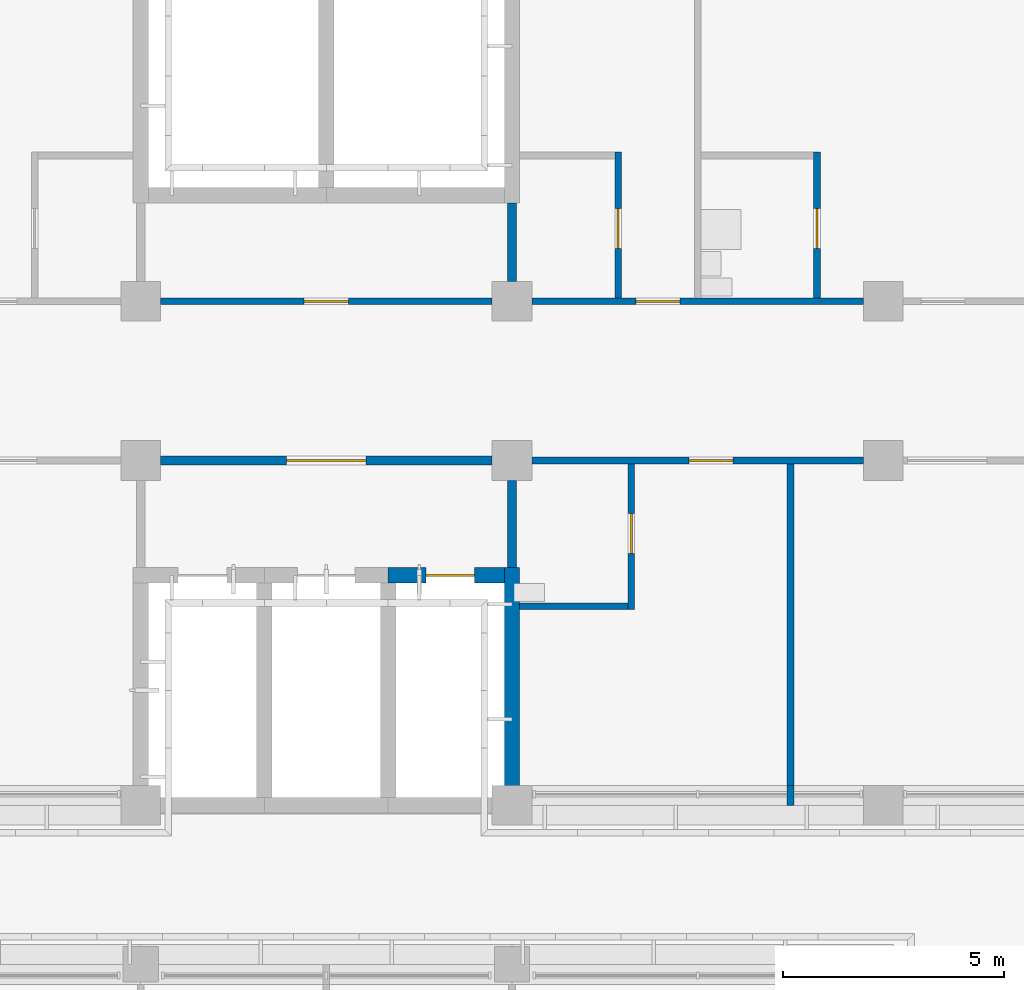
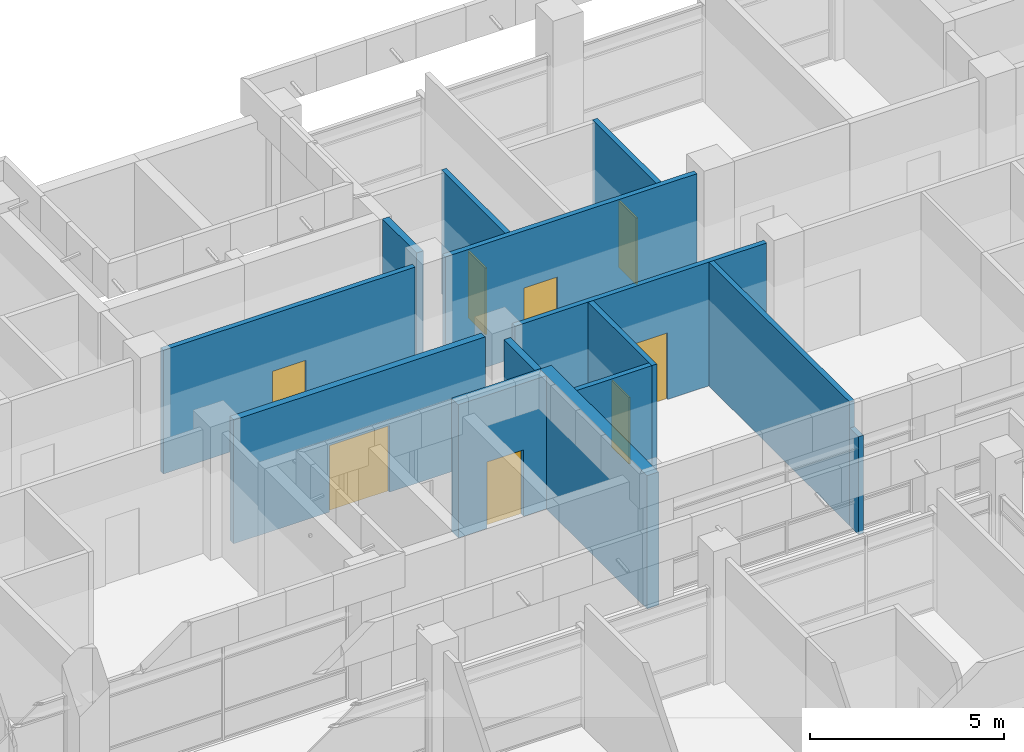
# One storey, part 84 of 137: 14 walls, 8 doors, 8 openings.
"""IFC4 building model written with IfcOpenShell, lengths in metres."""

from ifc_helpers import new_model, si_unit, direction, frame, frame_2d, origin, place, context, subcontext, project, spatial, rectangle, extrude, material, layer, layer_set, type_object, element, fill, save


model = new_model("IFC4")

# Units and contexts
model_context = context("Model", 3, precision=1e-05, world=origin(), true_north=direction((0.0, 1.0)))
body_context = subcontext(model_context, "Body", "Model", "MODEL_VIEW")
ifc_project = project(units=[si_unit("LENGTHUNIT", "METRE"), si_unit("AREAUNIT", "SQUARE_METRE"), si_unit("VOLUMEUNIT", "CUBIC_METRE"), si_unit("PLANEANGLEUNIT", "RADIAN"), si_unit("MASSUNIT", "GRAM", prefix="KILO")], contexts=[model_context])

# Site, building, storey
site_placement = place(None, origin())
site = spatial("IfcSite", under=ifc_project, at=site_placement, CompositionType="ELEMENT")
building_placement = place(site_placement, origin())
building = spatial("IfcBuilding", under=site, at=building_placement, Name="Bougainvillea Quay General Hospital", CompositionType="ELEMENT")
storey_placement = place(building_placement, frame((0.0, 0.0, 16.800048828125)))
storey = spatial("IfcBuildingStorey", under=building, at=storey_placement, Name="L03", CompositionType="ELEMENT", Elevation=16.800048828125)

# Walls
ifc_material_1 = material(Name="Gypsum board partition on steel studs, insulated", Category="steel")
ifc_layer_1 = layer(ifc_material_1, 0.14990234375)
ifc_layer_set_1 = layer_set([ifc_layer_1], Name="Gypsum board partition on steel studs, insulated")
wall_type_1 = type_object("IfcWallType", Name="Partition 150 Gypsum board partition", PredefinedType="PARTITIONING", material=ifc_layer_set_1)
wall_1_placement = place(storey_placement, frame((165.89990234375, 140.39990234375, 0.0), z_axis=(0.0, 0.0, 1.0), x_axis=(0.0, 1.0, 0.0)))
element("IfcWall", 1, at=wall_1_placement, inside=storey, type_object=wall_type_1, Name="Partition 150 mm", PredefinedType="PARTITIONING", context=body_context, shape_type="SweptSolid", body=[
    extrude(rectangle(XDim=0.4501953125, YDim=0.14990234375, at=frame_2d((0.22509765625, 0.0))), origin(), (0.0, 0.0, 1.0), 3.079833984375),
])
wall_2_placement = place(storey_placement, frame((165.89990234375, 140.85009765625, 0.0), z_axis=(0.0, 0.0, 1.0), x_axis=(0.0, 1.0, 0.0)))
element("IfcWall", 2, at=wall_2_placement, inside=storey, type_object=wall_type_1, Name="Partition 150 mm", PredefinedType="PARTITIONING", context=body_context, shape_type="SweptSolid", body=[
    extrude(rectangle(XDim=7.27490234375, YDim=0.14990234375, at=frame_2d((3.637451171875, 0.0))), origin(), (0.0, 0.0, 1.0), 3.89990234375),
])

# Wall, opening, door
wall_3_placement = place(storey_placement, frame((162.0, 151.875, 0.0), z_axis=(0.0, 0.0, 1.0), x_axis=(0.0, 1.0, 0.0)))
wall_3 = element("IfcWall", 3, at=wall_3_placement, inside=storey, type_object=wall_type_1, Name="Partition 150 mm", PredefinedType="PARTITIONING", context=body_context, shape_type="SweptSolid", body=[
    extrude(rectangle(XDim=3.300048828125, YDim=0.14990234375, at=frame_2d((1.64990234375, 0.0))), origin(), (0.0, 0.0, 1.0), 3.89990234375),
])
opening_1_placement = place(wall_3_placement, frame((1.125, 0.0, 0.0)))
opening_1 = element("IfcOpeningElement", 4, at=opening_1_placement, cuts=wall_3, Name="Opening L03.063", PredefinedType="OPENING", context=body_context, shape_type="SweptSolid", body=[
    extrude(rectangle(XDim=0.89990234375, YDim=2.10009765625, at=frame_2d((0.449951171875, 1.050048828125))), frame((0.0, 0.0849609375, 0.0), z_axis=(0.0, -1.0, 0.0), x_axis=(1.0, 0.0, 0.0)), (0.0, 0.0, 1.0), 0.169921875),
])
ifc_material_2 = material(Name="Solid-core timber door leaf in steel frame", Category="steel")
door_type_1 = type_object("IfcDoorType", Name="Single leaf door 900x2100", OperationType="NOTDEFINED", PredefinedType="DOOR", material=ifc_material_2)
door_1_placement = place(opening_1_placement, origin())
door_1 = element("IfcDoor", 5, at=door_1_placement, inside=storey, type_object=door_type_1, Name="DT07 L03.063", OperationType="SINGLE_SWING_LEFT", OverallHeight=2.10009765625, OverallWidth=0.89990234375, PredefinedType="DOOR", context=body_context, shape_type="SweptSolid", body=[
    extrude(rectangle(XDim=0.89990234375, YDim=2.10009765625, at=frame_2d((0.449951171875, 1.050048828125))), frame((0.0, 0.02490234375, 0.0), z_axis=(0.0, -1.0, 0.0), x_axis=(1.0, 0.0, 0.0)), (0.0, 0.0, 1.0), 0.050048828125),
])
fill(opening_1, door_1)

wall_4_placement = place(storey_placement, frame((162.300048828125, 144.824951171875, 0.0), z_axis=(0.0, 0.0, 1.0), x_axis=(0.0, 1.0, 0.0)))
wall_4 = element("IfcWall", 6, at=wall_4_placement, inside=storey, type_object=wall_type_1, Name="Partition 150 mm", PredefinedType="PARTITIONING", context=body_context, shape_type="SweptSolid", body=[
    extrude(rectangle(XDim=3.300048828125, YDim=0.14990234375, at=frame_2d((1.64990234375, 0.0))), origin(), (0.0, 0.0, 1.0), 3.89990234375),
])
opening_2_placement = place(wall_4_placement, frame((1.27490234375, 0.0, 0.0)))
opening_2 = element("IfcOpeningElement", 7, at=opening_2_placement, cuts=wall_4, Name="Opening L03.057", PredefinedType="OPENING", context=body_context, shape_type="SweptSolid", body=[
    extrude(rectangle(XDim=0.89990234375, YDim=2.10009765625, at=frame_2d((0.449951171875, 1.050048828125))), frame((0.0, 0.0849609375, 0.0), z_axis=(0.0, -1.0, 0.0), x_axis=(1.0, 0.0, 0.0)), (0.0, 0.0, 1.0), 0.169921875),
])
door_2_placement = place(opening_2_placement, origin())
door_2 = element("IfcDoor", 8, at=door_2_placement, inside=storey, type_object=door_type_1, Name="DT07 L03.057", OperationType="SINGLE_SWING_RIGHT", OverallHeight=2.10009765625, OverallWidth=0.89990234375, PredefinedType="DOOR", context=body_context, shape_type="SweptSolid", body=[
    extrude(rectangle(XDim=0.89990234375, YDim=2.10009765625, at=frame_2d((0.449951171875, 1.050048828125))), frame((0.0, 0.02490234375, 0.0), z_axis=(0.0, -1.0, 0.0), x_axis=(1.0, 0.0, 0.0)), (0.0, 0.0, 1.0), 0.050048828125),
])
fill(opening_2, door_2)

wall_5_placement = place(storey_placement, frame((166.5, 151.875, 0.0), z_axis=(0.0, 0.0, 1.0), x_axis=(0.0, 1.0, 0.0)))
wall_5 = element("IfcWall", 9, at=wall_5_placement, inside=storey, type_object=wall_type_1, Name="Partition 150 mm", PredefinedType="PARTITIONING", context=body_context, shape_type="SweptSolid", body=[
    extrude(rectangle(XDim=3.300048828125, YDim=0.14990234375, at=frame_2d((1.64990234375, 0.0))), origin(), (0.0, 0.0, 1.0), 3.89990234375),
])
opening_3_placement = place(wall_5_placement, frame((1.125, 0.0, 0.0)))
opening_3 = element("IfcOpeningElement", 10, at=opening_3_placement, cuts=wall_5, Name="Opening L03.065", PredefinedType="OPENING", context=body_context, shape_type="SweptSolid", body=[
    extrude(rectangle(XDim=0.89990234375, YDim=2.10009765625, at=frame_2d((0.449951171875, 1.050048828125))), frame((0.0, 0.0849609375, 0.0), z_axis=(0.0, -1.0, 0.0), x_axis=(1.0, 0.0, 0.0)), (0.0, 0.0, 1.0), 0.169921875),
])
door_3_placement = place(opening_3_placement, origin())
door_3 = element("IfcDoor", 11, at=door_3_placement, inside=storey, type_object=door_type_1, Name="DT07 L03.065", OperationType="SINGLE_SWING_LEFT", OverallHeight=2.10009765625, OverallWidth=0.89990234375, PredefinedType="DOOR", context=body_context, shape_type="SweptSolid", body=[
    extrude(rectangle(XDim=0.89990234375, YDim=2.10009765625, at=frame_2d((0.449951171875, 1.050048828125))), frame((0.0, 0.02490234375, 0.0), z_axis=(0.0, -1.0, 0.0), x_axis=(1.0, 0.0, 0.0)), (0.0, 0.0, 1.0), 0.050048828125),
])
fill(opening_3, door_3)

# Wall
wall_6_placement = place(storey_placement, frame((159.77490234375, 144.89990234375, 0.0), z_axis=(0.0, 0.0, 1.0), x_axis=(1.0, 0.0, 0.0)))
element("IfcWall", 12, at=wall_6_placement, inside=storey, type_object=wall_type_1, Name="Partition 150 mm", PredefinedType="PARTITIONING", context=body_context, shape_type="SweptSolid", body=[
    extrude(rectangle(XDim=2.4501953125, YDim=0.14990234375, at=frame_2d((1.22509765625, 0.0))), origin(), (0.0, 0.0, 1.0), 3.89990234375),
])

# Wall, opening, door
ifc_layer_2 = layer(ifc_material_1, 0.14990234375)
ifc_layer_set_2 = layer_set([ifc_layer_2], Name="Gypsum board partition on steel studs, insulated")
wall_type_2 = type_object("IfcWallType", Name="Partition 150 Gypsum board partition EI 30", PredefinedType="PARTITIONING", material=ifc_layer_set_2)
wall_7_placement = place(storey_placement, frame((167.550048828125, 148.199951171875, 0.0), z_axis=(0.0, 0.0, 1.0), x_axis=(-1.0, 0.0, 0.0)))
wall_7 = element("IfcWall", 13, at=wall_7_placement, inside=storey, type_object=wall_type_2, Name="Partition 150 mm EI 30", PredefinedType="PARTITIONING", context=body_context, shape_type="SweptSolid", body=[
    extrude(rectangle(XDim=7.5, YDim=0.14990234375, at=frame_2d((3.75, 0.0))), origin(), (0.0, 0.0, 1.0), 3.89990234375),
])
opening_4_placement = place(wall_7_placement, frame((2.949951171875, 0.0, 0.0)))
opening_4 = element("IfcOpeningElement", 14, at=opening_4_placement, cuts=wall_7, Name="Opening L03.056", PredefinedType="OPENING", context=body_context, shape_type="SweptSolid", body=[
    extrude(rectangle(XDim=1.0, YDim=2.10009765625, at=frame_2d((0.5, 1.050048828125))), frame((0.0, 0.0849609375, 0.0), z_axis=(0.0, -1.0, 0.0), x_axis=(1.0, 0.0, 0.0)), (0.0, 0.0, 1.0), 0.169921875),
])
door_type_2 = type_object("IfcDoorType", Name="Single leaf door 1000x2100 FD30S", OperationType="NOTDEFINED", PredefinedType="DOOR", material=ifc_material_2)
door_4_placement = place(opening_4_placement, origin())
door_4 = element("IfcDoor", 15, at=door_4_placement, inside=storey, type_object=door_type_2, Name="DT15 L03.056", OperationType="SINGLE_SWING_LEFT", OverallHeight=2.10009765625, OverallWidth=1.0, PredefinedType="DOOR", context=body_context, shape_type="SweptSolid", body=[
    extrude(rectangle(XDim=1.0, YDim=2.10009765625, at=frame_2d((0.5, 1.050048828125))), frame((0.0, 0.02490234375, 0.0), z_axis=(0.0, -1.0, 0.0), x_axis=(1.0, 0.0, 0.0)), (0.0, 0.0, 1.0), 0.050048828125),
])
fill(opening_4, door_4)

wall_8_placement = place(storey_placement, frame((167.550048828125, 151.800048828125, 0.0), z_axis=(0.0, 0.0, 1.0), x_axis=(-1.0, 0.0, 0.0)))
wall_8 = element("IfcWall", 16, at=wall_8_placement, inside=storey, type_object=wall_type_2, Name="Partition 150 mm EI 30", PredefinedType="PARTITIONING", context=body_context, shape_type="SweptSolid", body=[
    extrude(rectangle(XDim=7.5, YDim=0.14990234375, at=frame_2d((3.75, 0.0))), origin(), (0.0, 0.0, 1.0), 3.89990234375),
])
opening_5_placement = place(wall_8_placement, frame((4.14990234375, 0.0, 0.0)))
opening_5 = element("IfcOpeningElement", 17, at=opening_5_placement, cuts=wall_8, Name="Opening L03.062", PredefinedType="OPENING", context=body_context, shape_type="SweptSolid", body=[
    extrude(rectangle(XDim=1.0, YDim=2.10009765625, at=frame_2d((0.5, 1.050048828125))), frame((0.0, 0.0849609375, 0.0), z_axis=(0.0, -1.0, 0.0), x_axis=(1.0, 0.0, 0.0)), (0.0, 0.0, 1.0), 0.169921875),
])
door_5_placement = place(opening_5_placement, frame((1.0, 0.0, 0.0), z_axis=(0.0, 0.0, 1.0), x_axis=(-1.0, 0.0, 0.0)))
door_5 = element("IfcDoor", 18, at=door_5_placement, inside=storey, type_object=door_type_2, Name="DT15 L03.062", OperationType="SINGLE_SWING_LEFT", OverallHeight=2.10009765625, OverallWidth=1.0, PredefinedType="DOOR", context=body_context, shape_type="SweptSolid", body=[
    extrude(rectangle(XDim=1.0, YDim=2.10009765625, at=frame_2d((0.5, 1.050048828125))), frame((0.0, 0.02490234375, 0.0), z_axis=(0.0, -1.0, 0.0), x_axis=(1.0, 0.0, 0.0)), (0.0, 0.0, 1.0), 0.050048828125),
])
fill(opening_5, door_5)

ifc_layer_3 = layer(ifc_material_1, 0.14990234375)
ifc_layer_set_3 = layer_set([ifc_layer_3], Name="Gypsum board partition on steel studs, insulated")
wall_type_3 = type_object("IfcWallType", Name="Partition 150 Gypsum board partition EI 60", PredefinedType="PARTITIONING", material=ifc_layer_set_3)
wall_9_placement = place(storey_placement, frame((151.64990234375, 151.800048828125, 0.0), z_axis=(0.0, 0.0, 1.0), x_axis=(1.0, 0.0, 0.0)))
wall_9 = element("IfcWall", 19, at=wall_9_placement, inside=storey, type_object=wall_type_3, Name="Partition 150 mm EI 60", PredefinedType="PARTITIONING", context=body_context, shape_type="SweptSolid", body=[
    extrude(rectangle(XDim=7.5, YDim=0.14990234375, at=frame_2d((3.75, 0.0))), origin(), (0.0, 0.0, 1.0), 3.89990234375),
])
opening_6_placement = place(wall_9_placement, frame((3.25, 0.0, 0.0)))
opening_6 = element("IfcOpeningElement", 20, at=opening_6_placement, cuts=wall_9, Name="Opening L03.073", PredefinedType="OPENING", context=body_context, shape_type="SweptSolid", body=[
    extrude(rectangle(XDim=1.0, YDim=2.10009765625, at=frame_2d((0.5, 1.050048828125))), frame((0.0, 0.0849609375, 0.0), z_axis=(0.0, -1.0, 0.0), x_axis=(1.0, 0.0, 0.0)), (0.0, 0.0, 1.0), 0.169921875),
])
ifc_material_3 = material(Name="Steel fire door leaf in steel frame", Category="steel")
door_type_3 = type_object("IfcDoorType", Name="Steel single leaf door 1000x2100 FD60", OperationType="NOTDEFINED", PredefinedType="DOOR", material=ifc_material_3)
door_6_placement = place(opening_6_placement, origin())
door_6 = element("IfcDoor", 21, at=door_6_placement, inside=storey, type_object=door_type_3, Name="DT10 L03.073", OperationType="SINGLE_SWING_LEFT", OverallHeight=2.10009765625, OverallWidth=1.0, PredefinedType="DOOR", context=body_context, shape_type="SweptSolid", body=[
    extrude(rectangle(XDim=1.0, YDim=2.10009765625, at=frame_2d((0.5, 1.050048828125))), frame((0.0, 0.02490234375, 0.0), z_axis=(0.0, -1.0, 0.0), x_axis=(1.0, 0.0, 0.0)), (0.0, 0.0, 1.0), 0.050048828125),
])
fill(opening_6, door_6)

ifc_material_4 = material(Name="Fire-rated autoclaved aerated block wall, plastered")
ifc_layer_4 = layer(ifc_material_4, 0.199951171875)
ifc_layer_set_4 = layer_set([ifc_layer_4], Name="Fire-rated autoclaved aerated block wall, plastered")
wall_type_4 = type_object("IfcWallType", Name="Partition 200 Fire-rated autoclaved aerated block wall EI 120", PredefinedType="SOLIDWALL", material=ifc_layer_set_4)
wall_10_placement = place(storey_placement, frame((151.64990234375, 148.199951171875, 0.0), z_axis=(0.0, 0.0, 1.0), x_axis=(1.0, 0.0, 0.0)))
wall_10 = element("IfcWall", 22, at=wall_10_placement, inside=storey, type_object=wall_type_4, Name="Partition 200 mm EI 120", PredefinedType="SOLIDWALL", context=body_context, shape_type="SweptSolid", body=[
    extrude(rectangle(XDim=7.5, YDim=0.199951171875, at=frame_2d((3.75, 0.0))), origin(), (0.0, 0.0, 1.0), 3.89990234375),
])
opening_7_placement = place(wall_10_placement, frame((2.85009765625, 0.0, 0.0)))
opening_7 = element("IfcOpeningElement", 23, at=opening_7_placement, cuts=wall_10, Name="Opening L03.072", PredefinedType="OPENING", context=body_context, shape_type="SweptSolid", body=[
    extrude(rectangle(XDim=1.800048828125, YDim=2.10009765625, at=frame_2d((0.89990234375, 1.050048828125))), frame((0.0, 0.10986328125, 0.0), z_axis=(0.0, -1.0, 0.0), x_axis=(1.0, 0.0, 0.0)), (0.0, 0.0, 1.0), 0.219970703125),
])
ifc_material_5 = material(Name="Steel fire door leaves in steel frame", Category="steel")
door_type_4 = type_object("IfcDoorType", Name="Steel double leaf door 1800x2100 FD60", OperationType="DOUBLE_DOOR_SINGLE_SWING", PredefinedType="DOOR", material=ifc_material_5)
door_7_placement = place(opening_7_placement, frame((1.800048828125, 0.0, 0.0), z_axis=(0.0, 0.0, 1.0), x_axis=(-1.0, 0.0, 0.0)))
door_7 = element("IfcDoor", 24, at=door_7_placement, inside=storey, type_object=door_type_4, Name="DT05 L03.072", OperationType="DOUBLE_DOOR_SINGLE_SWING", OverallHeight=2.10009765625, OverallWidth=1.800048828125, PredefinedType="DOOR", context=body_context, shape_type="SweptSolid", body=[
    extrude(rectangle(XDim=1.800048828125, YDim=2.10009765625, at=frame_2d((0.89990234375, 1.050048828125))), frame((0.0, 0.02490234375, 0.0), z_axis=(0.0, -1.0, 0.0), x_axis=(1.0, 0.0, 0.0)), (0.0, 0.0, 1.0), 0.050048828125),
])
fill(opening_7, door_7)

# Walls
wall_11_placement = place(storey_placement, frame((159.60009765625, 145.77490234375, 0.0), z_axis=(0.0, 0.0, 1.0), x_axis=(0.0, 1.0, 0.0)))
element("IfcWall", 25, at=wall_11_placement, inside=storey, type_object=wall_type_4, Name="Partition 200 mm EI 120", PredefinedType="SOLIDWALL", context=body_context, shape_type="SweptSolid", body=[
    extrude(rectangle(XDim=1.97509765625, YDim=0.199951171875, at=frame_2d((0.987548828125, 0.0))), origin(), (0.0, 0.0, 1.0), 3.89990234375),
])
ifc_layer_5 = layer(ifc_material_4, 0.199951171875)
ifc_layer_set_5 = layer_set([ifc_layer_5], Name="Fire-rated autoclaved aerated block wall, plastered")
wall_type_5 = type_object("IfcWallType", Name="Partition 200 Fire-rated autoclaved aerated block wall EI 60", PredefinedType="SOLIDWALL", material=ifc_layer_set_5)
wall_12_placement = place(storey_placement, frame((159.60009765625, 152.25, 0.0), z_axis=(0.0, 0.0, 1.0), x_axis=(0.0, 1.0, 0.0)))
element("IfcWall", 26, at=wall_12_placement, inside=storey, type_object=wall_type_5, Name="Partition 200 mm EI 60", PredefinedType="SOLIDWALL", context=body_context, shape_type="SweptSolid", body=[
    extrude(rectangle(XDim=1.77490234375, YDim=0.199951171875, at=frame_2d((0.887451171875, 0.0))), origin(), (0.0, 0.0, 1.0), 3.89990234375),
])

# Wall, opening, door
ifc_material_6 = material(Name="Concrete C40", Category="concrete")
ifc_layer_6 = layer(ifc_material_6, 0.35009765625)
ifc_layer_set_6 = layer_set([ifc_layer_6], Name="Concrete C40")
wall_type_6 = type_object("IfcWallType", Name="RC SHEAR WALL 350 C40", PredefinedType="SHEAR", material=ifc_layer_set_6)
wall_13_placement = place(storey_placement, frame((156.800048828125, 145.60009765625, 0.0), z_axis=(0.0, 0.0, 1.0), x_axis=(1.0, 0.0, 0.0)))
wall_13 = element("IfcWall", 27, at=wall_13_placement, inside=storey, type_object=wall_type_6, Name="Shear wall L03", PredefinedType="SHEAR", context=body_context, shape_type="SweptSolid", body=[
    extrude(rectangle(XDim=2.625, YDim=0.35009765625, at=frame_2d((1.3125, 0.0))), origin(), (0.0, 0.0, 1.0), 4.199951171875),
])
opening_8_placement = place(wall_13_placement, frame((0.85009765625, 0.0, 0.0)))
opening_8 = element("IfcOpeningElement", 28, at=opening_8_placement, cuts=wall_13, Name="Opening LD-A2.3-L03", PredefinedType="OPENING", context=body_context, shape_type="SweptSolid", body=[
    extrude(rectangle(XDim=1.10009765625, YDim=2.10009765625, at=frame_2d((0.550048828125, 1.050048828125))), frame((0.0, 0.18505859375, 0.0), z_axis=(0.0, -1.0, 0.0), x_axis=(1.0, 0.0, 0.0)), (0.0, 0.0, 1.0), 0.3701171875),
])
ifc_material_7 = material(Name="Stainless steel centre-opening landing door", Category="steel")
door_type_5 = type_object("IfcDoorType", Name="Lift landing door 1100x2100 E 120", OperationType="DOUBLE_DOOR_SLIDING", PredefinedType="DOOR", material=ifc_material_7)
door_8_placement = place(opening_8_placement, origin())
door_8 = element("IfcDoor", 29, at=door_8_placement, inside=storey, type_object=door_type_5, Name="Lift landing door LB-A2-3 L03", OperationType="DOUBLE_DOOR_SLIDING", OverallHeight=2.10009765625, OverallWidth=1.10009765625, PredefinedType="DOOR", context=body_context, shape_type="SweptSolid", body=[
    extrude(rectangle(XDim=1.10009765625, YDim=2.10009765625, at=frame_2d((0.550048828125, 1.050048828125))), frame((0.0, 0.02490234375, 0.0), z_axis=(0.0, -1.0, 0.0), x_axis=(1.0, 0.0, 0.0)), (0.0, 0.0, 1.0), 0.050048828125),
])
fill(opening_8, door_8)

# Wall
wall_14_placement = place(storey_placement, frame((159.60009765625, 140.22509765625, 0.0), z_axis=(0.0, 0.0, 1.0), x_axis=(0.0, 1.0, 0.0)))
element("IfcWall", 30, at=wall_14_placement, inside=storey, type_object=wall_type_6, Name="Shear wall L03", PredefinedType="SHEAR", context=body_context, shape_type="SweptSolid", body=[
    extrude(rectangle(XDim=5.5498046875, YDim=0.35009765625, at=frame_2d((2.77490234375, 0.0))), origin(), (0.0, 0.0, 1.0), 4.199951171875),
])

save(model, "model.ifc")
